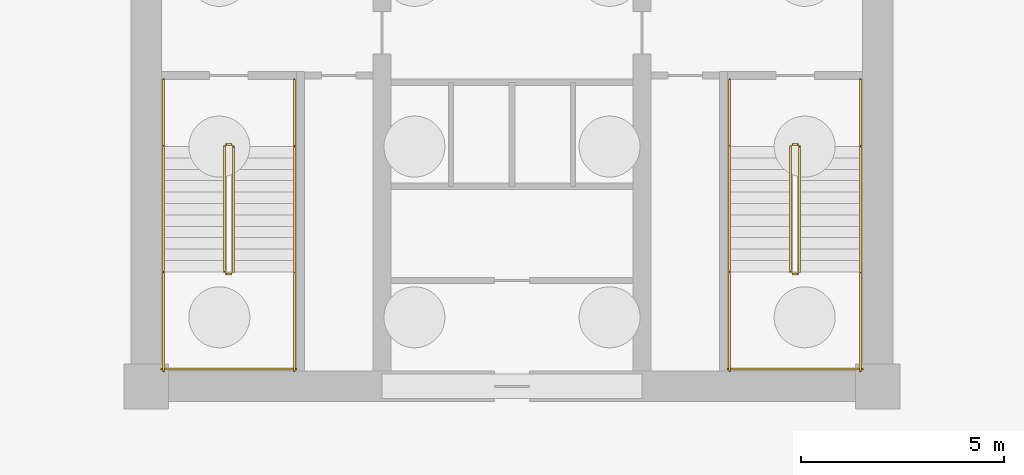
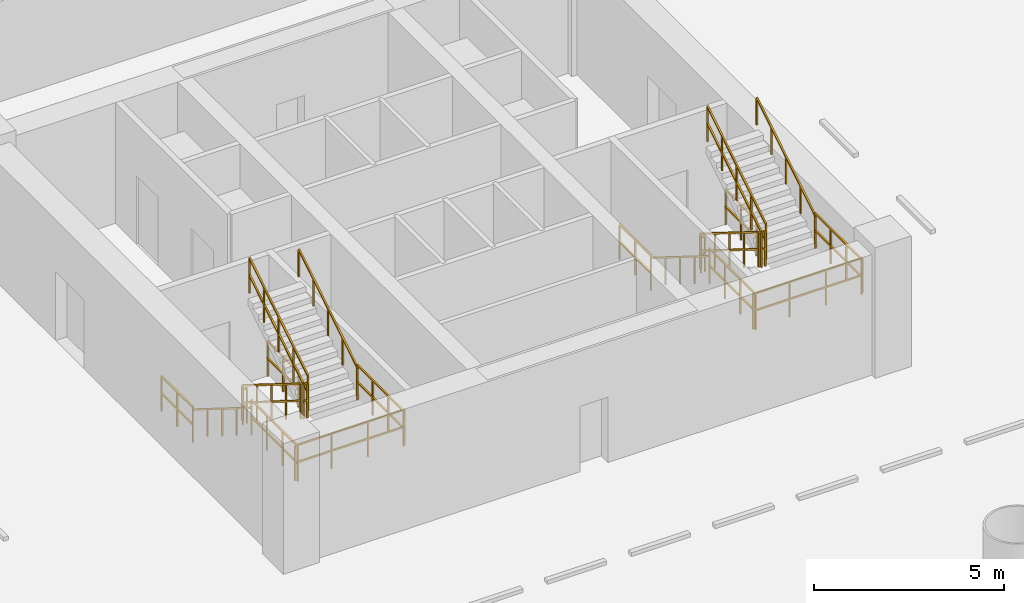
# One storey, part 8 of 11: 22 railings.
"""IFC4 building model written with IfcOpenShell, lengths in metres."""

from ifc_helpers import new_model, si_unit, direction, frame, origin, origin_2d, place, context, subcontext, project, spatial, rectangle, extrude, material, type_object, element, save


model = new_model("IFC4")

# Units and contexts
model_context = context("Model", 3, precision=1e-05, world=origin(), true_north=direction((-0.2419218956, 0.970295726276)))
body_context = subcontext(model_context, "Body", "Model", "MODEL_VIEW")
ifc_project = project(units=[si_unit("LENGTHUNIT", "METRE"), si_unit("AREAUNIT", "SQUARE_METRE"), si_unit("VOLUMEUNIT", "CUBIC_METRE"), si_unit("PLANEANGLEUNIT", "RADIAN"), si_unit("MASSUNIT", "GRAM", prefix="KILO")], contexts=[model_context])

# Site, building, storey
site_placement = place(None, origin())
site = spatial("IfcSite", under=ifc_project, at=site_placement, CompositionType="ELEMENT")
building_placement = place(site_placement, origin())
building = spatial("IfcBuilding", under=site, at=building_placement, Name="Cobrevalo Terracotta Tower", CompositionType="ELEMENT")
storey_placement = place(building_placement, frame((0.0, 0.0, -8.39990234375)))
storey = spatial("IfcBuildingStorey", under=building, at=storey_placement, Name="B02", CompositionType="ELEMENT", Elevation=-8.39990234375)

# Railings
ifc_material_1 = material(Name="Brushed stainless steel", Category="steel")
railing_type_1 = type_object("IfcRailingType", Name="Stainless Steel Stair Handrail 900", PredefinedType="HANDRAIL", material=ifc_material_1)
railing_1_placement = place(storey_placement, frame((29.425048828125, 24.699951171875, 0.1748046875)))
element("IfcRailing", 1, at=railing_1_placement, inside=storey, type_object=railing_type_1, Name="B02 ST-1 stair handrail 1", PredefinedType="HANDRAIL", context=body_context, shape_type="SweptSolid", body=[
    extrude(rectangle(XDim=0.048095703125, YDim=0.048095703125, at=origin_2d()), frame((0.0, 0.0, 0.8759765625), z_axis=(0.0, -0.847979421464, 0.530029150871), x_axis=(1.0, 0.0, 0.0)), (0.0, 0.0, 1.0), 3.632080078125),
    extrude(rectangle(XDim=0.0419921875, YDim=0.0419921875, at=origin_2d()), origin(), (0.0, 0.0, 1.0), 0.851806640625),
    extrude(rectangle(XDim=0.0419921875, YDim=0.0419921875, at=origin_2d()), frame((0.0, -0.77001953125, 0.481201171875)), (0.0, 0.0, 1.0), 0.851806640625),
    extrude(rectangle(XDim=0.0419921875, YDim=0.0419921875, at=origin_2d()), frame((0.0, -1.5400390625, 0.96240234375)), (0.0, 0.0, 1.0), 0.851806640625),
    extrude(rectangle(XDim=0.0419921875, YDim=0.0419921875, at=origin_2d()), frame((0.0, -2.309814453125, 1.44384765625)), (0.0, 0.0, 1.0), 0.851806640625),
    extrude(rectangle(XDim=0.0419921875, YDim=0.0419921875, at=origin_2d()), frame((0.0, -3.079833984375, 1.925048828125)), (0.0, 0.0, 1.0), 0.851806640625),
])
railing_2_placement = place(storey_placement, frame((32.64501953125, 21.6201171875, 2.27490234375)))
element("IfcRailing", 2, at=railing_2_placement, inside=storey, type_object=railing_type_1, Name="B02 ST-1 stair handrail 2", PredefinedType="HANDRAIL", context=body_context, shape_type="SweptSolid", body=[
    extrude(rectangle(XDim=0.048095703125, YDim=0.048095703125, at=origin_2d()), frame((0.0, 0.0, 0.8759765625), z_axis=(0.0, 0.847979421464, 0.530029150871), x_axis=(-1.0, 0.0, 0.0)), (0.0, 0.0, 1.0), 3.632080078125),
    extrude(rectangle(XDim=0.0419921875, YDim=0.0419921875, at=origin_2d()), origin(), (0.0, 0.0, 1.0), 0.851806640625),
    extrude(rectangle(XDim=0.0419921875, YDim=0.0419921875, at=origin_2d()), frame((0.0, 0.77001953125, 0.481201171875)), (0.0, 0.0, 1.0), 0.851806640625),
    extrude(rectangle(XDim=0.0419921875, YDim=0.0419921875, at=origin_2d()), frame((0.0, 1.5400390625, 0.96240234375)), (0.0, 0.0, 1.0), 0.851806640625),
    extrude(rectangle(XDim=0.0419921875, YDim=0.0419921875, at=origin_2d()), frame((0.0, 2.309814453125, 1.44384765625)), (0.0, 0.0, 1.0), 0.851806640625),
    extrude(rectangle(XDim=0.0419921875, YDim=0.0419921875, at=origin_2d()), frame((0.0, 3.079833984375, 1.925048828125)), (0.0, 0.0, 1.0), 0.851806640625),
])
railing_3_placement = place(storey_placement, frame((43.35498046875, 24.699951171875, 0.1748046875)))
element("IfcRailing", 3, at=railing_3_placement, inside=storey, type_object=railing_type_1, Name="B02 ST-2 stair handrail 1", PredefinedType="HANDRAIL", context=body_context, shape_type="SweptSolid", body=[
    extrude(rectangle(XDim=0.048095703125, YDim=0.048095703125, at=origin_2d()), frame((0.0, 0.0, 0.8759765625), z_axis=(0.0, -0.847979421464, 0.530029150871), x_axis=(1.0, 0.0, 0.0)), (0.0, 0.0, 1.0), 3.632080078125),
    extrude(rectangle(XDim=0.0419921875, YDim=0.0419921875, at=origin_2d()), origin(), (0.0, 0.0, 1.0), 0.851806640625),
    extrude(rectangle(XDim=0.0419921875, YDim=0.0419921875, at=origin_2d()), frame((0.0, -0.77001953125, 0.481201171875)), (0.0, 0.0, 1.0), 0.851806640625),
    extrude(rectangle(XDim=0.0419921875, YDim=0.0419921875, at=origin_2d()), frame((0.0, -1.5400390625, 0.96240234375)), (0.0, 0.0, 1.0), 0.851806640625),
    extrude(rectangle(XDim=0.0419921875, YDim=0.0419921875, at=origin_2d()), frame((0.0, -2.309814453125, 1.44384765625)), (0.0, 0.0, 1.0), 0.851806640625),
    extrude(rectangle(XDim=0.0419921875, YDim=0.0419921875, at=origin_2d()), frame((0.0, -3.079833984375, 1.925048828125)), (0.0, 0.0, 1.0), 0.851806640625),
])
railing_4_placement = place(storey_placement, frame((46.574951171875, 21.6201171875, 2.27490234375)))
element("IfcRailing", 4, at=railing_4_placement, inside=storey, type_object=railing_type_1, Name="B02 ST-2 stair handrail 2", PredefinedType="HANDRAIL", context=body_context, shape_type="SweptSolid", body=[
    extrude(rectangle(XDim=0.048095703125, YDim=0.048095703125, at=origin_2d()), frame((0.0, 0.0, 0.8759765625), z_axis=(0.0, 0.847979421464, 0.530029150871), x_axis=(-1.0, 0.0, 0.0)), (0.0, 0.0, 1.0), 3.632080078125),
    extrude(rectangle(XDim=0.0419921875, YDim=0.0419921875, at=origin_2d()), origin(), (0.0, 0.0, 1.0), 0.851806640625),
    extrude(rectangle(XDim=0.0419921875, YDim=0.0419921875, at=origin_2d()), frame((0.0, 0.77001953125, 0.481201171875)), (0.0, 0.0, 1.0), 0.851806640625),
    extrude(rectangle(XDim=0.0419921875, YDim=0.0419921875, at=origin_2d()), frame((0.0, 1.5400390625, 0.96240234375)), (0.0, 0.0, 1.0), 0.851806640625),
    extrude(rectangle(XDim=0.0419921875, YDim=0.0419921875, at=origin_2d()), frame((0.0, 2.309814453125, 1.44384765625)), (0.0, 0.0, 1.0), 0.851806640625),
    extrude(rectangle(XDim=0.0419921875, YDim=0.0419921875, at=origin_2d()), frame((0.0, 3.079833984375, 1.925048828125)), (0.0, 0.0, 1.0), 0.851806640625),
])
ifc_material_2 = material(Name="Painted galvanized steel", Category="steel")
railing_type_2 = type_object("IfcRailingType", Name="Stair Well Guard Balustrade 1150", PredefinedType="GUARDRAIL", material=ifc_material_2)
railing_5_placement = place(storey_placement, frame((30.925048828125, 24.699951171875, 0.1748046875)))
element("IfcRailing", 5, at=railing_5_placement, inside=storey, type_object=railing_type_2, Name="B02 ST-1 stair guard 1", PredefinedType="GUARDRAIL", context=body_context, shape_type="SweptSolid", body=[
    extrude(rectangle(XDim=0.048095703125, YDim=0.048095703125, at=origin_2d()), frame((0.0, 0.0, 1.1259765625), z_axis=(0.0, -0.847979421464, 0.530029150871), x_axis=(1.0, 0.0, 0.0)), (0.0, 0.0, 1.0), 3.632080078125),
    extrude(rectangle(XDim=0.048095703125, YDim=0.048095703125, at=origin_2d()), frame((0.0, 0.0, 0.574951171875), z_axis=(0.0, -0.847979421464, 0.530029150871), x_axis=(1.0, 0.0, 0.0)), (0.0, 0.0, 1.0), 3.632080078125),
    extrude(rectangle(XDim=0.0419921875, YDim=0.0419921875, at=origin_2d()), origin(), (0.0, 0.0, 1.0), 1.101806640625),
    extrude(rectangle(XDim=0.0419921875, YDim=0.0419921875, at=origin_2d()), frame((0.0, -0.77001953125, 0.481201171875)), (0.0, 0.0, 1.0), 1.101806640625),
    extrude(rectangle(XDim=0.0419921875, YDim=0.0419921875, at=origin_2d()), frame((0.0, -1.5400390625, 0.96240234375)), (0.0, 0.0, 1.0), 1.101806640625),
    extrude(rectangle(XDim=0.0419921875, YDim=0.0419921875, at=origin_2d()), frame((0.0, -2.309814453125, 1.44384765625)), (0.0, 0.0, 1.0), 1.101806640625),
    extrude(rectangle(XDim=0.0419921875, YDim=0.0419921875, at=origin_2d()), frame((0.0, -3.079833984375, 1.925048828125)), (0.0, 0.0, 1.0), 1.101806640625),
])
railing_6_placement = place(storey_placement, frame((30.97509765625, 21.570068359375, 2.099853515625)))
element("IfcRailing", 6, at=railing_6_placement, inside=storey, type_object=railing_type_2, Name="B02 ST-1 stair guard 2", PredefinedType="GUARDRAIL", context=body_context, shape_type="SweptSolid", body=[
    extrude(rectangle(XDim=0.048095703125, YDim=0.048095703125, at=origin_2d()), frame((0.0, 0.0, 1.1259765625), z_axis=(1.0, 0.0, 0.0), x_axis=(0.0, 1.0, 0.0)), (0.0, 0.0, 1.0), 0.119873046875),
    extrude(rectangle(XDim=0.048095703125, YDim=0.048095703125, at=origin_2d()), frame((0.0, 0.0, 0.574951171875), z_axis=(1.0, 0.0, 0.0), x_axis=(0.0, 1.0, 0.0)), (0.0, 0.0, 1.0), 0.119873046875),
    extrude(rectangle(XDim=0.0419921875, YDim=0.0419921875, at=origin_2d()), origin(), (0.0, 0.0, 1.0), 1.101806640625),
    extrude(rectangle(XDim=0.0419921875, YDim=0.0419921875, at=origin_2d()), frame((0.119873046875, 0.0, 0.0)), (0.0, 0.0, 1.0), 1.101806640625),
])
for number, where, name in (
    (7, (29.425048828125, 21.6201171875, 2.099853515625), "B02 ST-1 stair guard 3"),
    (8, (32.64501953125, 21.6201171875, 2.099853515625), "B02 ST-1 stair guard 4"),
):
    element("IfcRailing", number, at=place(storey_placement, frame(where)), inside=storey, type_object=railing_type_2, Name=name, PredefinedType="GUARDRAIL", context=body_context, shape_type="SweptSolid", body=[
        extrude(rectangle(XDim=0.048095703125, YDim=0.048095703125, at=origin_2d()), frame((0.0, 0.0, 1.1259765625), z_axis=(0.0, -1.0, 0.0), x_axis=(1.0, 0.0, 0.0)), (0.0, 0.0, 1.0), 2.445068359375),
        extrude(rectangle(XDim=0.048095703125, YDim=0.048095703125, at=origin_2d()), frame((0.0, 0.0, 0.574951171875), z_axis=(0.0, -1.0, 0.0), x_axis=(1.0, 0.0, 0.0)), (0.0, 0.0, 1.0), 2.445068359375),
        extrude(rectangle(XDim=0.0419921875, YDim=0.0419921875, at=origin_2d()), origin(), (0.0, 0.0, 1.0), 1.101806640625),
        extrude(rectangle(XDim=0.0419921875, YDim=0.0419921875, at=origin_2d()), frame((0.0, -0.81494140625, 0.0)), (0.0, 0.0, 1.0), 1.101806640625),
        extrude(rectangle(XDim=0.0419921875, YDim=0.0419921875, at=origin_2d()), frame((0.0, -1.630126953125, 0.0)), (0.0, 0.0, 1.0), 1.101806640625),
        extrude(rectangle(XDim=0.0419921875, YDim=0.0419921875, at=origin_2d()), frame((0.0, -2.445068359375, 0.0)), (0.0, 0.0, 1.0), 1.101806640625),
    ])
railing_7_placement = place(storey_placement, frame((29.375, 19.22509765625, 2.099853515625)))
element("IfcRailing", 9, at=railing_7_placement, inside=storey, type_object=railing_type_2, Name="B02 ST-1 stair guard 5", PredefinedType="GUARDRAIL", context=body_context, shape_type="SweptSolid", body=[
    extrude(rectangle(XDim=0.048095703125, YDim=0.048095703125, at=origin_2d()), frame((0.0, 0.0, 1.1259765625), z_axis=(1.0, 0.0, 0.0), x_axis=(0.0, 1.0, 0.0)), (0.0, 0.0, 1.0), 3.320068359375),
    extrude(rectangle(XDim=0.048095703125, YDim=0.048095703125, at=origin_2d()), frame((0.0, 0.0, 0.574951171875), z_axis=(1.0, 0.0, 0.0), x_axis=(0.0, 1.0, 0.0)), (0.0, 0.0, 1.0), 3.320068359375),
    extrude(rectangle(XDim=0.0419921875, YDim=0.0419921875, at=origin_2d()), origin(), (0.0, 0.0, 1.0), 1.101806640625),
    extrude(rectangle(XDim=0.0419921875, YDim=0.0419921875, at=origin_2d()), frame((1.106689453125, 0.0, 0.0)), (0.0, 0.0, 1.0), 1.101806640625),
    extrude(rectangle(XDim=0.0419921875, YDim=0.0419921875, at=origin_2d()), frame((2.21337890625, 0.0, 0.0)), (0.0, 0.0, 1.0), 1.101806640625),
    extrude(rectangle(XDim=0.0419921875, YDim=0.0419921875, at=origin_2d()), frame((3.320068359375, 0.0, 0.0)), (0.0, 0.0, 1.0), 1.101806640625),
])
railing_8_placement = place(storey_placement, frame((31.14501953125, 21.6201171875, 2.27490234375)))
element("IfcRailing", 10, at=railing_8_placement, inside=storey, type_object=railing_type_2, Name="B02 ST-1 stair guard 6", PredefinedType="GUARDRAIL", context=body_context, shape_type="SweptSolid", body=[
    extrude(rectangle(XDim=0.048095703125, YDim=0.048095703125, at=origin_2d()), frame((0.0, 0.0, 1.1259765625), z_axis=(0.0, 0.847979421464, 0.530029150871), x_axis=(-1.0, 0.0, 0.0)), (0.0, 0.0, 1.0), 3.632080078125),
    extrude(rectangle(XDim=0.048095703125, YDim=0.048095703125, at=origin_2d()), frame((0.0, 0.0, 0.574951171875), z_axis=(0.0, 0.847979421464, 0.530029150871), x_axis=(-1.0, 0.0, 0.0)), (0.0, 0.0, 1.0), 3.632080078125),
    extrude(rectangle(XDim=0.0419921875, YDim=0.0419921875, at=origin_2d()), origin(), (0.0, 0.0, 1.0), 1.101806640625),
    extrude(rectangle(XDim=0.0419921875, YDim=0.0419921875, at=origin_2d()), frame((0.0, 0.77001953125, 0.481201171875)), (0.0, 0.0, 1.0), 1.101806640625),
    extrude(rectangle(XDim=0.0419921875, YDim=0.0419921875, at=origin_2d()), frame((0.0, 1.5400390625, 0.96240234375)), (0.0, 0.0, 1.0), 1.101806640625),
    extrude(rectangle(XDim=0.0419921875, YDim=0.0419921875, at=origin_2d()), frame((0.0, 2.309814453125, 1.44384765625)), (0.0, 0.0, 1.0), 1.101806640625),
    extrude(rectangle(XDim=0.0419921875, YDim=0.0419921875, at=origin_2d()), frame((0.0, 3.079833984375, 1.925048828125)), (0.0, 0.0, 1.0), 1.101806640625),
])
railing_9_placement = place(storey_placement, frame((30.97509765625, 24.75, 0.0)))
element("IfcRailing", 11, at=railing_9_placement, inside=storey, type_object=railing_type_2, Name="B02 ST-1 stair guard 7", PredefinedType="GUARDRAIL", context=body_context, shape_type="SweptSolid", body=[
    extrude(rectangle(XDim=0.048095703125, YDim=0.048095703125, at=origin_2d()), frame((0.0, 0.0, 1.1259765625), z_axis=(1.0, 0.0, 0.0), x_axis=(0.0, 1.0, 0.0)), (0.0, 0.0, 1.0), 0.119873046875),
    extrude(rectangle(XDim=0.048095703125, YDim=0.048095703125, at=origin_2d()), frame((0.0, 0.0, 0.574951171875), z_axis=(1.0, 0.0, 0.0), x_axis=(0.0, 1.0, 0.0)), (0.0, 0.0, 1.0), 0.119873046875),
    extrude(rectangle(XDim=0.0419921875, YDim=0.0419921875, at=origin_2d()), origin(), (0.0, 0.0, 1.0), 1.101806640625),
    extrude(rectangle(XDim=0.0419921875, YDim=0.0419921875, at=origin_2d()), frame((0.119873046875, 0.0, 0.0)), (0.0, 0.0, 1.0), 1.101806640625),
])
for number, where, name in (
    (12, (29.425048828125, 26.35009765625, 0.0), "B02 ST-1 stair guard 8"),
    (13, (32.64501953125, 26.35009765625, 0.0), "B02 ST-1 stair guard 9"),
):
    element("IfcRailing", number, at=place(storey_placement, frame(where)), inside=storey, type_object=railing_type_2, Name=name, PredefinedType="GUARDRAIL", context=body_context, shape_type="SweptSolid", body=[
        extrude(rectangle(XDim=0.048095703125, YDim=0.048095703125, at=origin_2d()), frame((0.0, 0.0, 1.1259765625), z_axis=(0.0, -1.0, 0.0), x_axis=(1.0, 0.0, 0.0)), (0.0, 0.0, 1.0), 1.650146484375),
        extrude(rectangle(XDim=0.048095703125, YDim=0.048095703125, at=origin_2d()), frame((0.0, 0.0, 0.574951171875), z_axis=(0.0, -1.0, 0.0), x_axis=(1.0, 0.0, 0.0)), (0.0, 0.0, 1.0), 1.650146484375),
        extrude(rectangle(XDim=0.0419921875, YDim=0.0419921875, at=origin_2d()), origin(), (0.0, 0.0, 1.0), 1.101806640625),
        extrude(rectangle(XDim=0.0419921875, YDim=0.0419921875, at=origin_2d()), frame((0.0, -0.8251953125, 0.0)), (0.0, 0.0, 1.0), 1.101806640625),
        extrude(rectangle(XDim=0.0419921875, YDim=0.0419921875, at=origin_2d()), frame((0.0, -1.650146484375, 0.0)), (0.0, 0.0, 1.0), 1.101806640625),
    ])
railing_10_placement = place(storey_placement, frame((44.85498046875, 24.699951171875, 0.1748046875)))
element("IfcRailing", 14, at=railing_10_placement, inside=storey, type_object=railing_type_2, Name="B02 ST-2 stair guard 1", PredefinedType="GUARDRAIL", context=body_context, shape_type="SweptSolid", body=[
    extrude(rectangle(XDim=0.048095703125, YDim=0.048095703125, at=origin_2d()), frame((0.0, 0.0, 1.1259765625), z_axis=(0.0, -0.847979421464, 0.530029150871), x_axis=(1.0, 0.0, 0.0)), (0.0, 0.0, 1.0), 3.632080078125),
    extrude(rectangle(XDim=0.048095703125, YDim=0.048095703125, at=origin_2d()), frame((0.0, 0.0, 0.574951171875), z_axis=(0.0, -0.847979421464, 0.530029150871), x_axis=(1.0, 0.0, 0.0)), (0.0, 0.0, 1.0), 3.632080078125),
    extrude(rectangle(XDim=0.0419921875, YDim=0.0419921875, at=origin_2d()), origin(), (0.0, 0.0, 1.0), 1.101806640625),
    extrude(rectangle(XDim=0.0419921875, YDim=0.0419921875, at=origin_2d()), frame((0.0, -0.77001953125, 0.481201171875)), (0.0, 0.0, 1.0), 1.101806640625),
    extrude(rectangle(XDim=0.0419921875, YDim=0.0419921875, at=origin_2d()), frame((0.0, -1.5400390625, 0.96240234375)), (0.0, 0.0, 1.0), 1.101806640625),
    extrude(rectangle(XDim=0.0419921875, YDim=0.0419921875, at=origin_2d()), frame((0.0, -2.309814453125, 1.44384765625)), (0.0, 0.0, 1.0), 1.101806640625),
    extrude(rectangle(XDim=0.0419921875, YDim=0.0419921875, at=origin_2d()), frame((0.0, -3.079833984375, 1.925048828125)), (0.0, 0.0, 1.0), 1.101806640625),
])
railing_11_placement = place(storey_placement, frame((44.905029296875, 21.570068359375, 2.099853515625)))
element("IfcRailing", 15, at=railing_11_placement, inside=storey, type_object=railing_type_2, Name="B02 ST-2 stair guard 2", PredefinedType="GUARDRAIL", context=body_context, shape_type="SweptSolid", body=[
    extrude(rectangle(XDim=0.048095703125, YDim=0.048095703125, at=origin_2d()), frame((0.0, 0.0, 1.1259765625), z_axis=(1.0, 0.0, 0.0), x_axis=(0.0, 1.0, 0.0)), (0.0, 0.0, 1.0), 0.119873046875),
    extrude(rectangle(XDim=0.048095703125, YDim=0.048095703125, at=origin_2d()), frame((0.0, 0.0, 0.574951171875), z_axis=(1.0, 0.0, 0.0), x_axis=(0.0, 1.0, 0.0)), (0.0, 0.0, 1.0), 0.119873046875),
    extrude(rectangle(XDim=0.0419921875, YDim=0.0419921875, at=origin_2d()), origin(), (0.0, 0.0, 1.0), 1.101806640625),
    extrude(rectangle(XDim=0.0419921875, YDim=0.0419921875, at=origin_2d()), frame((0.119873046875, 0.0, 0.0)), (0.0, 0.0, 1.0), 1.101806640625),
])
for number, where, name in (
    (16, (43.35498046875, 21.6201171875, 2.099853515625), "B02 ST-2 stair guard 3"),
    (17, (46.574951171875, 21.6201171875, 2.099853515625), "B02 ST-2 stair guard 4"),
):
    element("IfcRailing", number, at=place(storey_placement, frame(where)), inside=storey, type_object=railing_type_2, Name=name, PredefinedType="GUARDRAIL", context=body_context, shape_type="SweptSolid", body=[
        extrude(rectangle(XDim=0.048095703125, YDim=0.048095703125, at=origin_2d()), frame((0.0, 0.0, 1.1259765625), z_axis=(0.0, -1.0, 0.0), x_axis=(1.0, 0.0, 0.0)), (0.0, 0.0, 1.0), 2.445068359375),
        extrude(rectangle(XDim=0.048095703125, YDim=0.048095703125, at=origin_2d()), frame((0.0, 0.0, 0.574951171875), z_axis=(0.0, -1.0, 0.0), x_axis=(1.0, 0.0, 0.0)), (0.0, 0.0, 1.0), 2.445068359375),
        extrude(rectangle(XDim=0.0419921875, YDim=0.0419921875, at=origin_2d()), origin(), (0.0, 0.0, 1.0), 1.101806640625),
        extrude(rectangle(XDim=0.0419921875, YDim=0.0419921875, at=origin_2d()), frame((0.0, -0.81494140625, 0.0)), (0.0, 0.0, 1.0), 1.101806640625),
        extrude(rectangle(XDim=0.0419921875, YDim=0.0419921875, at=origin_2d()), frame((0.0, -1.630126953125, 0.0)), (0.0, 0.0, 1.0), 1.101806640625),
        extrude(rectangle(XDim=0.0419921875, YDim=0.0419921875, at=origin_2d()), frame((0.0, -2.445068359375, 0.0)), (0.0, 0.0, 1.0), 1.101806640625),
    ])
railing_12_placement = place(storey_placement, frame((43.304931640625, 19.22509765625, 2.099853515625)))
element("IfcRailing", 18, at=railing_12_placement, inside=storey, type_object=railing_type_2, Name="B02 ST-2 stair guard 5", PredefinedType="GUARDRAIL", context=body_context, shape_type="SweptSolid", body=[
    extrude(rectangle(XDim=0.048095703125, YDim=0.048095703125, at=origin_2d()), frame((0.0, 0.0, 1.1259765625), z_axis=(1.0, 0.0, 0.0), x_axis=(0.0, 1.0, 0.0)), (0.0, 0.0, 1.0), 3.320068359375),
    extrude(rectangle(XDim=0.048095703125, YDim=0.048095703125, at=origin_2d()), frame((0.0, 0.0, 0.574951171875), z_axis=(1.0, 0.0, 0.0), x_axis=(0.0, 1.0, 0.0)), (0.0, 0.0, 1.0), 3.320068359375),
    extrude(rectangle(XDim=0.0419921875, YDim=0.0419921875, at=origin_2d()), origin(), (0.0, 0.0, 1.0), 1.101806640625),
    extrude(rectangle(XDim=0.0419921875, YDim=0.0419921875, at=origin_2d()), frame((1.106689453125, 0.0, 0.0)), (0.0, 0.0, 1.0), 1.101806640625),
    extrude(rectangle(XDim=0.0419921875, YDim=0.0419921875, at=origin_2d()), frame((2.21337890625, 0.0, 0.0)), (0.0, 0.0, 1.0), 1.101806640625),
    extrude(rectangle(XDim=0.0419921875, YDim=0.0419921875, at=origin_2d()), frame((3.320068359375, 0.0, 0.0)), (0.0, 0.0, 1.0), 1.101806640625),
])
railing_13_placement = place(storey_placement, frame((45.074951171875, 21.6201171875, 2.27490234375)))
element("IfcRailing", 19, at=railing_13_placement, inside=storey, type_object=railing_type_2, Name="B02 ST-2 stair guard 6", PredefinedType="GUARDRAIL", context=body_context, shape_type="SweptSolid", body=[
    extrude(rectangle(XDim=0.048095703125, YDim=0.048095703125, at=origin_2d()), frame((0.0, 0.0, 1.1259765625), z_axis=(0.0, 0.847979421464, 0.530029150871), x_axis=(-1.0, 0.0, 0.0)), (0.0, 0.0, 1.0), 3.632080078125),
    extrude(rectangle(XDim=0.048095703125, YDim=0.048095703125, at=origin_2d()), frame((0.0, 0.0, 0.574951171875), z_axis=(0.0, 0.847979421464, 0.530029150871), x_axis=(-1.0, 0.0, 0.0)), (0.0, 0.0, 1.0), 3.632080078125),
    extrude(rectangle(XDim=0.0419921875, YDim=0.0419921875, at=origin_2d()), origin(), (0.0, 0.0, 1.0), 1.101806640625),
    extrude(rectangle(XDim=0.0419921875, YDim=0.0419921875, at=origin_2d()), frame((0.0, 0.77001953125, 0.481201171875)), (0.0, 0.0, 1.0), 1.101806640625),
    extrude(rectangle(XDim=0.0419921875, YDim=0.0419921875, at=origin_2d()), frame((0.0, 1.5400390625, 0.96240234375)), (0.0, 0.0, 1.0), 1.101806640625),
    extrude(rectangle(XDim=0.0419921875, YDim=0.0419921875, at=origin_2d()), frame((0.0, 2.309814453125, 1.44384765625)), (0.0, 0.0, 1.0), 1.101806640625),
    extrude(rectangle(XDim=0.0419921875, YDim=0.0419921875, at=origin_2d()), frame((0.0, 3.079833984375, 1.925048828125)), (0.0, 0.0, 1.0), 1.101806640625),
])
railing_14_placement = place(storey_placement, frame((44.905029296875, 24.75, 0.0)))
element("IfcRailing", 20, at=railing_14_placement, inside=storey, type_object=railing_type_2, Name="B02 ST-2 stair guard 7", PredefinedType="GUARDRAIL", context=body_context, shape_type="SweptSolid", body=[
    extrude(rectangle(XDim=0.048095703125, YDim=0.048095703125, at=origin_2d()), frame((0.0, 0.0, 1.1259765625), z_axis=(1.0, 0.0, 0.0), x_axis=(0.0, 1.0, 0.0)), (0.0, 0.0, 1.0), 0.119873046875),
    extrude(rectangle(XDim=0.048095703125, YDim=0.048095703125, at=origin_2d()), frame((0.0, 0.0, 0.574951171875), z_axis=(1.0, 0.0, 0.0), x_axis=(0.0, 1.0, 0.0)), (0.0, 0.0, 1.0), 0.119873046875),
    extrude(rectangle(XDim=0.0419921875, YDim=0.0419921875, at=origin_2d()), origin(), (0.0, 0.0, 1.0), 1.101806640625),
    extrude(rectangle(XDim=0.0419921875, YDim=0.0419921875, at=origin_2d()), frame((0.119873046875, 0.0, 0.0)), (0.0, 0.0, 1.0), 1.101806640625),
])
for number, where, name in (
    (21, (43.35498046875, 26.35009765625, 0.0), "B02 ST-2 stair guard 8"),
    (22, (46.574951171875, 26.35009765625, 0.0), "B02 ST-2 stair guard 9"),
):
    element("IfcRailing", number, at=place(storey_placement, frame(where)), inside=storey, type_object=railing_type_2, Name=name, PredefinedType="GUARDRAIL", context=body_context, shape_type="SweptSolid", body=[
        extrude(rectangle(XDim=0.048095703125, YDim=0.048095703125, at=origin_2d()), frame((0.0, 0.0, 1.1259765625), z_axis=(0.0, -1.0, 0.0), x_axis=(1.0, 0.0, 0.0)), (0.0, 0.0, 1.0), 1.650146484375),
        extrude(rectangle(XDim=0.048095703125, YDim=0.048095703125, at=origin_2d()), frame((0.0, 0.0, 0.574951171875), z_axis=(0.0, -1.0, 0.0), x_axis=(1.0, 0.0, 0.0)), (0.0, 0.0, 1.0), 1.650146484375),
        extrude(rectangle(XDim=0.0419921875, YDim=0.0419921875, at=origin_2d()), origin(), (0.0, 0.0, 1.0), 1.101806640625),
        extrude(rectangle(XDim=0.0419921875, YDim=0.0419921875, at=origin_2d()), frame((0.0, -0.8251953125, 0.0)), (0.0, 0.0, 1.0), 1.101806640625),
        extrude(rectangle(XDim=0.0419921875, YDim=0.0419921875, at=origin_2d()), frame((0.0, -1.650146484375, 0.0)), (0.0, 0.0, 1.0), 1.101806640625),
    ])

save(model, "model.ifc")
